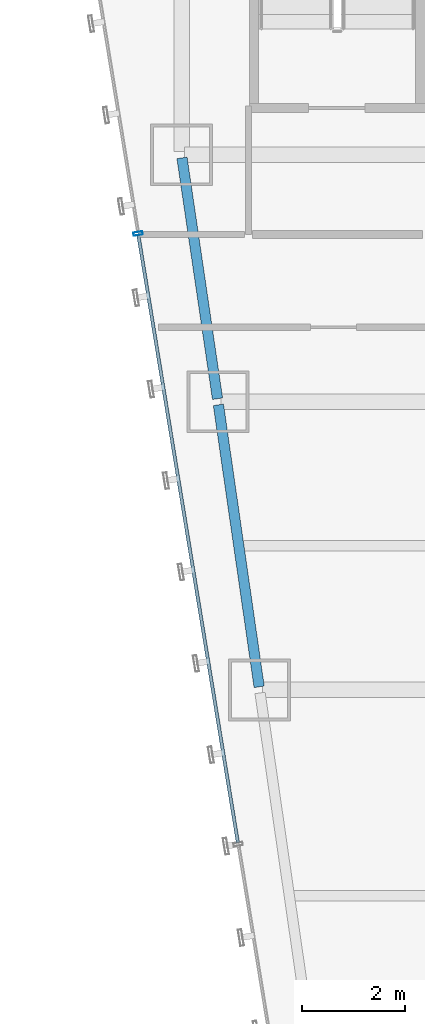
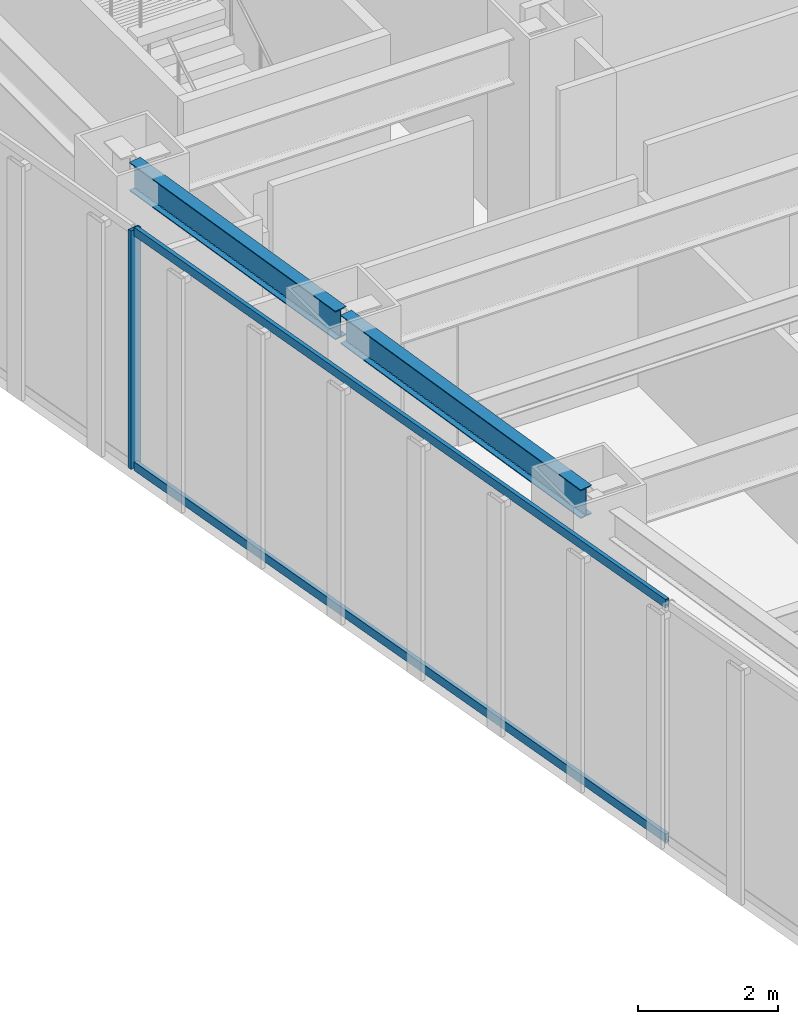
# One storey, part 22 of 47: 3 members, 2 beams, 1 element without a shape of its own.
"""IFC4 building model written with IfcOpenShell, lengths in metres."""

import ifcopenshell
import ifcopenshell.guid

model = None  # the IFC model being written
_history = None  # IfcOwnerHistory: only IFC2X3 demands one
_inside = {}  # id of a spatial element -> (the spatial element, [elements in it])
_under = {}  # id of a project, library or spatial element -> (it, [spatial elements below it])
_declared = {}  # id of a project -> (the project, [libraries it declares])
_typed = {}  # id of a type object -> (the type object, [elements of that type])
_made_of = {}  # id of a material, layer set ... -> (it, [elements and type objects made of it])


def new_model(schema):
    """Start an empty IFC model of exactly this schema.

    Asked for "IFC4X3", IfcOpenShell would pick the latest addendum, in which some entities
    have other attributes; the version numbers below select the first issue.
    IFC2X3 requires an IfcOwnerHistory on every rooted entity: one is made here for all.
    """
    global model, _history
    if schema == "IFC4X3":
        model = ifcopenshell.file(schema_version=(4, 3, 0, 0))
    else:
        model = ifcopenshell.file(schema=schema)
    _inside.clear()
    _under.clear()
    _declared.clear()
    _typed.clear()
    _made_of.clear()
    _history = None
    if model.schema == "IFC2X3":
        org = make("IfcOrganization", Name="unknown")
        user = make(
            "IfcPersonAndOrganization",
            ThePerson=make("IfcPerson", FamilyName="unknown"),
            TheOrganization=org,
        )
        app = make(
            "IfcApplication",
            ApplicationDeveloper=org,
            Version="unknown",
            ApplicationFullName="unknown",
            ApplicationIdentifier="unknown",
        )
        _history = make(
            "IfcOwnerHistory",
            OwningUser=user,
            OwningApplication=app,
            ChangeAction="ADDED",
            CreationDate=0,
        )
    return model


def make(cls, **values):
    """One entity of the class cls with the attributes given. An attribute that is None is left unset."""
    return model.create_entity(
        cls, **{name: value for name, value in values.items() if value is not None}
    )


def rooted(cls, **values):
    """An entity with a GlobalId (a new one), such as an element, a storey or a relation."""
    return make(cls, GlobalId=ifcopenshell.guid.new(), OwnerHistory=_history, **values)


def si_unit(unit_type, name, prefix=None):
    """IfcSIUnit, for example si_unit("LENGTHUNIT", "METRE", prefix="MILLI")."""
    return make("IfcSIUnit", UnitType=unit_type, Prefix=prefix, Name=name)


def assignment(units):
    """IfcUnitAssignment: the units of a project."""
    return None if units is None else make("IfcUnitAssignment", Units=units)


def point(xyz):
    """IfcCartesianPoint."""
    return None if xyz is None else make("IfcCartesianPoint", Coordinates=xyz)


def direction(xyz):
    """IfcDirection."""
    return None if xyz is None else make("IfcDirection", DirectionRatios=xyz)


def frame(location, z_axis=None, x_axis=None):
    """IfcAxis2Placement3D, a coordinate frame: its origin and axes. An axis left out is left unset."""
    return make(
        "IfcAxis2Placement3D",
        Location=point(location),
        Axis=direction(z_axis),
        RefDirection=direction(x_axis),
    )


def frame_2d(location, x_axis=None):
    """IfcAxis2Placement2D, a coordinate frame in the plane: its origin and x axis."""
    return make(
        "IfcAxis2Placement2D", Location=point(location), RefDirection=direction(x_axis)
    )


def origin():
    """The frame at (0, 0, 0) with its axes left unset."""
    return frame((0.0, 0.0, 0.0))


def origin_2d():
    """The frame at (0, 0) in the plane with its x axis left unset."""
    return frame_2d((0.0, 0.0))


def place(relative_to, where):
    """IfcLocalPlacement: puts the frame where relative to a parent placement (None: the world)."""
    return make(
        "IfcLocalPlacement", PlacementRelTo=relative_to, RelativePlacement=where
    )


def context(
    kind, dimensions, precision=None, world=None, true_north=None, identifier=None
):
    """IfcGeometricRepresentationContext, for example the 3D "Model" context."""
    return make(
        "IfcGeometricRepresentationContext",
        ContextIdentifier=identifier,
        ContextType=kind,
        CoordinateSpaceDimension=dimensions,
        Precision=precision,
        WorldCoordinateSystem=world,
        TrueNorth=true_north,
    )


def subcontext(parent, identifier, kind, view, scale=None):
    """IfcGeometricRepresentationSubContext, for example "Body" below "Model"."""
    return make(
        "IfcGeometricRepresentationSubContext",
        ContextIdentifier=identifier,
        ContextType=kind,
        ParentContext=parent,
        TargetScale=scale,
        TargetView=view,
    )


def project(units=None, contexts=None):
    """IfcProject with its units and contexts."""
    return rooted(
        "IfcProject",
        Name="project",
        RepresentationContexts=contexts,
        UnitsInContext=assignment(units),
    )


def spatial(cls, under=None, at=None, **own):
    """A site, building, storey or space (cls), placed at a placement, below another one or the project."""
    s = rooted(cls, ObjectPlacement=at, **own)
    if under is not None:
        _under.setdefault(under.id(), (under, []))[1].append(s)
    return s


def profile(cls, at=None, kind="AREA", **sizes):
    """A parametric profile (cls). Its sizes go by their IFC names, for example OverallWidth=200.0."""
    return make(cls, ProfileType=kind, Position=at, **sizes)


def hollow_rectangle(**sizes):
    """IfcRectangleHollowProfileDef."""
    return profile("IfcRectangleHollowProfileDef", **sizes)


def i_section(**sizes):
    """IfcIShapeProfileDef."""
    return profile("IfcIShapeProfileDef", **sizes)


def extrude(swept, where, along, depth):
    """IfcExtrudedAreaSolid: the profile swept, set in the frame where, extruded along a direction by depth."""
    return make(
        "IfcExtrudedAreaSolid",
        SweptArea=swept,
        Position=where,
        ExtrudedDirection=direction(along),
        Depth=depth,
    )


def shape(context_of_items, identifier, shape_type, items):
    """IfcShapeRepresentation: the items that make up one representation, for example the "Body"."""
    return make(
        "IfcShapeRepresentation",
        ContextOfItems=context_of_items,
        RepresentationIdentifier=identifier,
        RepresentationType=shape_type,
        Items=items,
    )


def material(Name=None, Category=None):
    """IfcMaterial."""
    return make("IfcMaterial", Name=Name, Category=Category)


def material_profile(
    of_material, cross_section, Name=None, Category=None, Priority=None
):
    """IfcMaterialProfile: a cross section and its material."""
    return make(
        "IfcMaterialProfile",
        Name=Name,
        Material=of_material,
        Profile=cross_section,
        Priority=Priority,
        Category=Category,
    )


def profile_set(profiles, Name=None, composite=None):
    """IfcMaterialProfileSet."""
    return make(
        "IfcMaterialProfileSet",
        Name=Name,
        MaterialProfiles=profiles,
        CompositeProfile=composite,
    )


def made_of(thing, what):
    """Note that an element or type object is made of a material, layer set ...; save() writes the relation."""
    if what is not None:
        _made_of.setdefault(what.id(), (what, []))[1].append(thing)
    return thing


def type_object(cls, material=None, **own):
    """A type object (cls), such as IfcWallType, which elements share."""
    return made_of(rooted(cls, **own), material)


def element(
    cls,
    number,
    at=None,
    inside=None,
    cuts=None,
    type_object=None,
    material=None,
    context=None,
    identifier="Body",
    shape_type=None,
    held_by="IfcProductDefinitionShape",
    body=None,
    shapes=None,
    **own,
):
    """One element of the class cls, such as IfcWall. Its Tag is "e" and its number.

    at: its placement. inside: the storey or other place that contains it. cuts: it is an
    opening in that element (IfcRelVoidsElement). A single representation is given by context,
    identifier, shape_type and body (its items); several are given by shapes. held_by: the class
    of the entity that holds the representations. save() writes the other relations.
    """
    e = rooted(cls, Tag="e%d" % number, ObjectPlacement=at, **own)
    if body is not None:
        shapes = [shape(context, identifier, shape_type, body)]
    if shapes is not None:
        e.Representation = make(held_by, Representations=shapes)
    if inside is not None:
        _inside.setdefault(inside.id(), (inside, []))[1].append(e)
    if cuts is not None:
        rooted(
            "IfcRelVoidsElement", RelatingBuildingElement=cuts, RelatedOpeningElement=e
        )
    if type_object is not None:
        _typed.setdefault(type_object.id(), (type_object, []))[1].append(e)
    return made_of(e, material)


def aggregate(whole, parts):
    """IfcRelAggregates: a whole, such as a stair, and the parts it consists of."""
    return rooted("IfcRelAggregates", RelatingObject=whole, RelatedObjects=parts)


def save(model, path):
    """Write the relations noted so far, then the file.

    IfcRelAggregates (storeys below a building ...), IfcRelContainedInSpatialStructure (elements
    in a storey), IfcRelDefinesByType, IfcRelAssociatesMaterial and IfcRelDeclares: one each for
    every whole, place, type object, material and project.
    """
    for whole, parts in _under.values():
        aggregate(whole, parts)
    for where, things in _inside.values():
        rooted(
            "IfcRelContainedInSpatialStructure",
            RelatedElements=things,
            RelatingStructure=where,
        )
    for kind, things in _typed.values():
        rooted("IfcRelDefinesByType", RelatedObjects=things, RelatingType=kind)
    for what, things in _made_of.values():
        rooted("IfcRelAssociatesMaterial", RelatedObjects=things, RelatingMaterial=what)
    for by, libraries in _declared.values():
        rooted("IfcRelDeclares", RelatingContext=by, RelatedDefinitions=libraries)
    model.write(path)


model = new_model("IFC4")

# Units and contexts
model_context = context("Model", 3, precision=1e-05, world=origin(), true_north=direction((0.0, 1.0)))
body_context = subcontext(model_context, "Body", "Model", "MODEL_VIEW")
ifc_project = project(units=[si_unit("LENGTHUNIT", "METRE"), si_unit("AREAUNIT", "SQUARE_METRE"), si_unit("VOLUMEUNIT", "CUBIC_METRE"), si_unit("PLANEANGLEUNIT", "RADIAN"), si_unit("MASSUNIT", "GRAM", prefix="KILO")], contexts=[model_context])

# Site, building, storey
site_placement = place(None, origin())
site = spatial("IfcSite", under=ifc_project, at=site_placement, CompositionType="ELEMENT")
building_placement = place(site_placement, origin())
building = spatial("IfcBuilding", under=site, at=building_placement, Name="Saevonmaru Cultural Tower", CompositionType="ELEMENT")
storey_placement = place(building_placement, frame((0.0, 0.0, 69.199951171875)))
storey = spatial("IfcBuildingStorey", under=building, at=storey_placement, Name="L14", CompositionType="ELEMENT", Elevation=69.199951171875)

# Beams
ifc_material_1 = material(Name="Steel SM355", Category="steel")
ifc_material_profile_1 = material_profile(ifc_material_1, i_section(OverallWidth=0.199951171875, OverallDepth=0.5, WebThickness=0.010009765625, FlangeThickness=0.01611328125, FilletRadius=0.02001953125, at=origin_2d()), Name="H-500x200x10x16")
ifc_profile_set_1 = profile_set([ifc_material_profile_1], Name="Steel SM355")
beam_type = type_object("IfcBeamType", Name="BM-SP-H500", PredefinedType="SPANDREL", material=ifc_profile_set_1)
beam_1_placement = place(storey_placement, frame((8.308349609375, 32.059326171875, 3.900146484375), z_axis=(-0.142964121327, 0.989727871697, 0.0), x_axis=(-0.989727871697, -0.142964121327, 0.0)))
element("IfcBeam", 1, at=beam_1_placement, inside=storey, type_object=beam_type, Name="L14 West Splayed Spandrel 5", PredefinedType="SPANDREL", context=body_context, shape_type="SweptSolid", body=[
    extrude(i_section(OverallWidth=0.199951171875, OverallDepth=0.5, WebThickness=0.010009765625, FlangeThickness=0.01611328125, FilletRadius=0.02001953125, at=origin_2d()), origin(), (0.0, 0.0, 1.0), 5.5380859375),
])
beam_2_placement = place(storey_placement, frame((7.499267578125, 37.659423828125, 3.900146484375), z_axis=(-0.145912860028, 0.989297446312, 0.0), x_axis=(-0.989297446312, -0.145912860028, 0.0)))
element("IfcBeam", 2, at=beam_2_placement, inside=storey, type_object=beam_type, Name="L14 West Splayed Spandrel 6", PredefinedType="SPANDREL", context=body_context, shape_type="SweptSolid", body=[
    extrude(i_section(OverallWidth=0.199951171875, OverallDepth=0.5, WebThickness=0.010009765625, FlangeThickness=0.01611328125, FilletRadius=0.02001953125, at=origin_2d()), origin(), (0.0, 0.0, 1.0), 4.731689453125),
])

# Curtain wall, members
ifc_material_2 = material(Name="Satin Bronze Anodised Aluminium", Category="aluminium")
curtain_wall_type = type_object("IfcCurtainWallType", Name="CW-TYP-A", PredefinedType="NOTDEFINED", material=ifc_material_2)
curtain_wall_placement = place(storey_placement, origin())
curtain_wall = element("IfcCurtainWall", 3, at=curtain_wall_placement, inside=storey, type_object=curtain_wall_type, Name="L14 Unitised Curtain Wall E12", PredefinedType="NOTDEFINED")
ifc_material_profile_2 = material_profile(ifc_material_2, hollow_rectangle(XDim=0.06494140625, YDim=0.179931640625, WallThickness=0.00390625, at=origin_2d()), Name="ALU-MULL-180x65x4")
ifc_profile_set_2 = profile_set([ifc_material_profile_2], Name="Satin Bronze Anodised Aluminium")
member_type_1 = type_object("IfcMemberType", Name="ML-CW-180x65", PredefinedType="MULLION", material=ifc_profile_set_2)
member_1_placement = place(storey_placement, frame((5.954833984375, 40.870361328125, 0.0), z_axis=(0.0, 0.0, 1.0), x_axis=(0.161708868641, -0.986838508472, 0.0)))
member_1 = element("IfcMember", 4, at=member_1_placement, type_object=member_type_1, Name="CW-TW-L14-E12 mullion 2", PredefinedType="MULLION", context=body_context, shape_type="SweptSolid", body=[
    extrude(hollow_rectangle(XDim=0.06494140625, YDim=0.179931640625, WallThickness=0.00390625, at=origin_2d()), origin(), (0.0, 0.0, 1.0), 4.150146484375),
])
ifc_material_profile_3 = material_profile(ifc_material_2, hollow_rectangle(XDim=0.06494140625, YDim=0.14990234375, WallThickness=0.00390625, at=origin_2d()), Name="ALU-TRAN-150x65x4")
ifc_profile_set_3 = profile_set([ifc_material_profile_3], Name="Satin Bronze Anodised Aluminium")
member_type_2 = type_object("IfcMemberType", Name="TR-CW-150x65", PredefinedType="USERDEFINED", material=ifc_profile_set_3)
member_2_placement = place(storey_placement, frame((5.960205078125, 40.83837890625, 0.032470703125), z_axis=(0.161701400727, -0.986839732177, 0.0), x_axis=(0.986839732177, 0.161701400727, 0.0)))
member_2 = element("IfcMember", 5, at=member_2_placement, type_object=member_type_2, Name="CW-TW-L14-E12 transom 2.1", ObjectType="TRANSOM", PredefinedType="USERDEFINED", context=body_context, shape_type="SweptSolid", body=[
    extrude(hollow_rectangle(XDim=0.06494140625, YDim=0.14990234375, WallThickness=0.00390625, at=origin_2d()), origin(), (0.0, 0.0, 1.0), 11.9638671875),
])
member_3_placement = place(storey_placement, frame((5.960205078125, 40.83837890625, 4.117431640625), z_axis=(0.161701400727, -0.986839732177, 0.0), x_axis=(0.986839732177, 0.161701400727, 0.0)))
member_3 = element("IfcMember", 6, at=member_3_placement, type_object=member_type_2, Name="CW-TW-L14-E12 transom 2.2", ObjectType="TRANSOM", PredefinedType="USERDEFINED", context=body_context, shape_type="SweptSolid", body=[
    extrude(hollow_rectangle(XDim=0.06494140625, YDim=0.14990234375, WallThickness=0.00390625, at=origin_2d()), origin(), (0.0, 0.0, 1.0), 11.9638671875),
])
aggregate(curtain_wall, [member_1, member_2, member_3])

save(model, "model.ifc")
